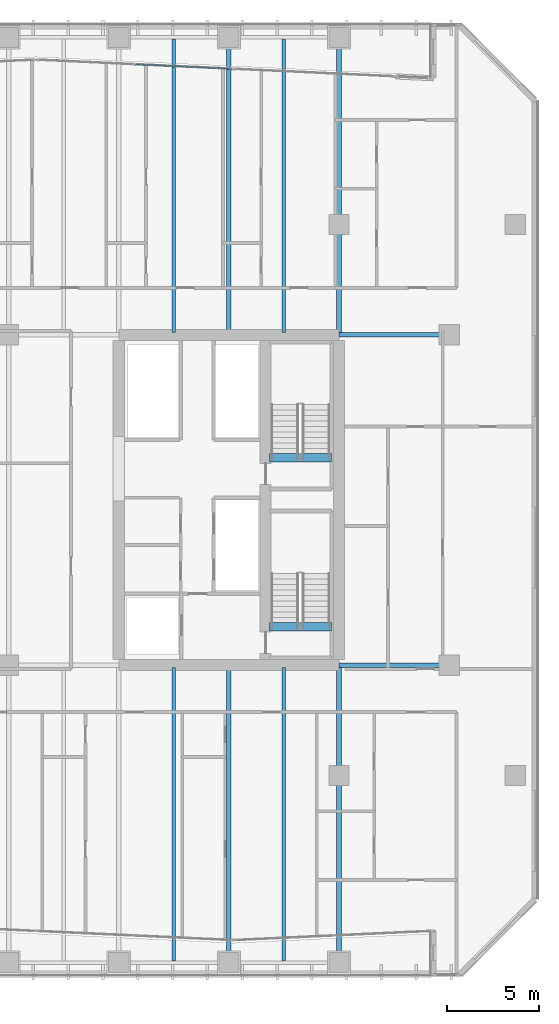
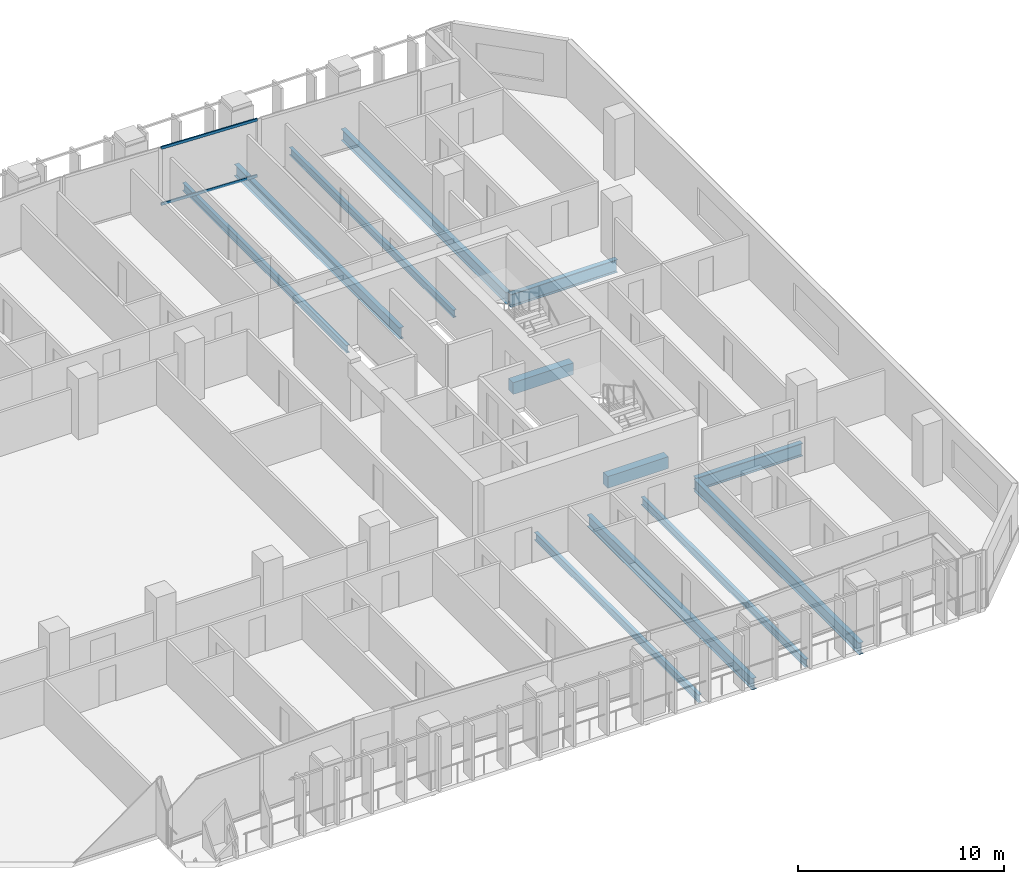
# One storey, part 15 of 31: 12 beams, 2 members, 1 element without a shape of its own.
"""IFC4 building model written with IfcOpenShell, lengths in metres."""

from ifc_helpers import new_model, si_unit, direction, frame, origin, origin_2d, place, context, subcontext, project, spatial, rectangle, hollow_rectangle, i_section, extrude, material, layer, layer_set, material_profile, profile_set, type_object, element, aggregate, save


model = new_model("IFC4")

# Units and contexts
model_context = context("Model", 3, precision=1e-05, world=origin(), true_north=direction((0.0, 1.0)))
body_context = subcontext(model_context, "Body", "Model", "MODEL_VIEW")
ifc_project = project(units=[si_unit("LENGTHUNIT", "METRE"), si_unit("AREAUNIT", "SQUARE_METRE"), si_unit("VOLUMEUNIT", "CUBIC_METRE"), si_unit("PLANEANGLEUNIT", "RADIAN"), si_unit("MASSUNIT", "GRAM", prefix="KILO")], contexts=[model_context])

# Site, building, storey
site_placement = place(None, origin())
site = spatial("IfcSite", under=ifc_project, at=site_placement, CompositionType="ELEMENT")
building_placement = place(site_placement, origin())
building = spatial("IfcBuilding", under=site, at=building_placement, Name="Tanjung Sevakor Pilgrim Tower", CompositionType="ELEMENT")
storey_placement = place(building_placement, frame((0.0, 0.0, 58.739990234375)))
storey = spatial("IfcBuildingStorey", under=building, at=storey_placement, Name="L16", CompositionType="ELEMENT", Elevation=58.739990234375)

# Beams
ifc_material_1 = material(Name="Steel S355J2", Category="steel")
ifc_material_profile_1 = material_profile(ifc_material_1, i_section(OverallWidth=0.26806640625, OverallDepth=0.769775390625, WebThickness=0.015625, FlangeThickness=0.025390625, FilletRadius=0.0166015625, at=origin_2d()))
ifc_profile_set_1 = profile_set([ifc_material_profile_1], Name="Steel S355J2")
beam_type_1 = type_object("IfcBeamType", Name="BM-B-G1-UB_762x267x197", PredefinedType="BEAM", material=ifc_profile_set_1)
for number, where, z_axis, x_axis, name in (
    (1, (90.0, 24.60009765625, -0.60498046875), (1.0, 0.0, 0.0), (0.0, 1.0, 0.0), "L16 Primary Floor Girder MAIN Y246-09"),
    (2, (90.0, 42.60009765625, -0.60498046875), (1.0, 0.0, 0.0), (0.0, 1.0, 0.0), "L16 Primary Floor Girder MAIN Y426-09"),
):
    element("IfcBeam", number, at=place(storey_placement, frame(where, z_axis=z_axis, x_axis=x_axis)), inside=storey, type_object=beam_type_1, Name=name, PredefinedType="BEAM", context=body_context, shape_type="SweptSolid", body=[
        extrude(i_section(OverallWidth=0.26806640625, OverallDepth=0.769775390625, WebThickness=0.015625, FlangeThickness=0.025390625, FilletRadius=0.0166015625, at=origin_2d()), origin(), (0.0, 0.0, 1.0), 6.0),
    ])
ifc_material_2 = material(Name="Steel S355J2", Category="steel")
ifc_material_profile_2 = material_profile(ifc_material_2, i_section(OverallWidth=0.25439453125, OverallDepth=0.6875, WebThickness=0.01318359375, FlangeThickness=0.02099609375, FilletRadius=0.01513671875, at=origin_2d()))
ifc_profile_set_2 = profile_set([ifc_material_profile_2], Name="Steel S355J2")
beam_type_2 = type_object("IfcBeamType", Name="BM-B-G2-UB_686x254x152", PredefinedType="BEAM", material=ifc_profile_set_2)
for number, where, z_axis, x_axis, name in (
    (3, (84.0, 8.39990234375, -0.563720703125), (0.0, 1.0, 0.0), (-1.0, 0.0, 0.0), "L16 MAIN Girder 041"),
    (4, (84.0, 42.73388671875, -0.563720703125), (0.0, 1.0, 0.0), (-1.0, 0.0, 0.0), "L16 MAIN Girder 042"),
    (5, (90.0, 8.39990234375, -0.563720703125), (0.0, 1.0, 0.0), (-1.0, 0.0, 0.0), "L16 MAIN Girder 045"),
    (6, (90.0, 42.73388671875, -0.563720703125), (0.0, 1.0, 0.0), (-1.0, 0.0, 0.0), "L16 MAIN Girder 046"),
):
    element("IfcBeam", number, at=place(storey_placement, frame(where, z_axis=z_axis, x_axis=x_axis)), inside=storey, type_object=beam_type_2, Name=name, PredefinedType="BEAM", context=body_context, shape_type="SweptSolid", body=[
        extrude(i_section(OverallWidth=0.25439453125, OverallDepth=0.6875, WebThickness=0.01318359375, FlangeThickness=0.02099609375, FilletRadius=0.01513671875, at=origin_2d()), origin(), (0.0, 0.0, 1.0), 16.066162109375),
    ])
ifc_material_3 = material(Name="Steel S355J2", Category="steel")
ifc_material_profile_3 = material_profile(ifc_material_3, i_section(OverallWidth=0.19140625, OverallDepth=0.4599609375, WebThickness=0.010009765625, FlangeThickness=0.01611328125, FilletRadius=0.01025390625, at=origin_2d()))
ifc_profile_set_3 = profile_set([ifc_material_profile_3], Name="Steel S355J2")
beam_type_3 = type_object("IfcBeamType", Name="BM-B-J2-UB_457x191x82", PredefinedType="JOIST", material=ifc_profile_set_3)
for number, where, z_axis, x_axis, name in (
    (7, (81.0, 8.5, -0.449951171875), (0.0, 1.0, 0.0), (-1.0, 0.0, 0.0), "L16 MAIN Joist 039"),
    (8, (81.0, 42.73388671875, -0.449951171875), (0.0, 1.0, 0.0), (-1.0, 0.0, 0.0), "L16 MAIN Joist 040"),
    (9, (87.0, 8.5, -0.449951171875), (0.0, 1.0, 0.0), (-1.0, 0.0, 0.0), "L16 MAIN Joist 043"),
    (10, (87.0, 42.73388671875, -0.449951171875), (0.0, 1.0, 0.0), (-1.0, 0.0, 0.0), "L16 MAIN Joist 044"),
):
    element("IfcBeam", number, at=place(storey_placement, frame(where, z_axis=z_axis, x_axis=x_axis)), inside=storey, type_object=beam_type_3, Name=name, PredefinedType="JOIST", context=body_context, shape_type="SweptSolid", body=[
        extrude(i_section(OverallWidth=0.19140625, OverallDepth=0.4599609375, WebThickness=0.010009765625, FlangeThickness=0.01611328125, FilletRadius=0.01025390625, at=origin_2d()), origin(), (0.0, 0.0, 1.0), 15.966064453125),
    ])
ifc_material_4 = material(Name="Concrete C60/75", Category="concrete")
ifc_material_profile_4 = material_profile(ifc_material_4, rectangle(XDim=0.449951171875, YDim=0.699951171875, at=origin_2d()))
ifc_profile_set_4 = profile_set([ifc_material_profile_4], Name="Concrete C60/75")
beam_type_4 = type_object("IfcBeamType", Name="BM-B-LN3-RC-BM_450x700", PredefinedType="LINTEL", material=ifc_profile_set_4)
for number, where, z_axis, x_axis, name in (
    (11, (86.199951171875, 26.699951171875, -0.35009765625), (1.0, 0.0, 0.0), (0.0, 1.0, 0.0), "L16 TS-E1 Stair Threshold Beam"),
    (12, (86.199951171875, 35.89990234375, -0.35009765625), (1.0, 0.0, 0.0), (0.0, 1.0, 0.0), "L16 TS-E2 Stair Threshold Beam"),
):
    element("IfcBeam", number, at=place(storey_placement, frame(where, z_axis=z_axis, x_axis=x_axis)), inside=storey, type_object=beam_type_4, Name=name, PredefinedType="LINTEL", context=body_context, shape_type="SweptSolid", body=[
        extrude(rectangle(XDim=0.449951171875, YDim=0.699951171875, at=origin_2d()), origin(), (0.0, 0.0, 1.0), 3.400146484375),
    ])

# Curtain wall, members
ifc_material_5 = material(Name="Aluminium 6063-T6 and Low-E Glass", Category="aluminium")
ifc_layer = layer(ifc_material_5, 0.199951171875)
ifc_layer_set = layer_set([ifc_layer], Name="CW-SYS-PRAY")
curtain_wall_type = type_object("IfcCurtainWallType", Name="CW-SYS-PRAY", PredefinedType="NOTDEFINED", material=ifc_layer_set)
curtain_wall_placement = place(storey_placement, origin())
curtain_wall = element("IfcCurtainWall", 13, at=curtain_wall_placement, inside=storey, type_object=curtain_wall_type, Name="L16 Curtain Wall CW-PRY-L16-21", PredefinedType="NOTDEFINED")
ifc_material_6 = material(Name="Aluminium 6063-T6", Category="aluminium")
ifc_material_profile_5 = material_profile(ifc_material_6, hollow_rectangle(XDim=0.074951171875, YDim=0.159912109375, WallThickness=0.00439453125, at=origin_2d()))
ifc_profile_set_5 = profile_set([ifc_material_profile_5], Name="Aluminium 6063-T6")
member_type = type_object("IfcMemberType", Name="TYPE-CWT-2", PredefinedType="USERDEFINED", material=ifc_profile_set_5)
member_1_placement = place(storey_placement, frame((84.168701171875, 57.083740234375, 0.03759765625), z_axis=(-0.998920086078, 0.046461399352, 0.0), x_axis=(-0.046461399352, -0.998920086078, 0.0)))
member_1 = element("IfcMember", 14, at=member_1_placement, type_object=member_type, Name="CW-PRY transom 1.1", ObjectType="TRANSOM", PredefinedType="USERDEFINED", context=body_context, shape_type="SweptSolid", body=[
    extrude(hollow_rectangle(XDim=0.074951171875, YDim=0.159912109375, WallThickness=0.00439453125, at=origin_2d()), origin(), (0.0, 0.0, 1.0), 5.26513671875),
])
member_2_placement = place(storey_placement, frame((84.168701171875, 57.083740234375, 3.37255859375), z_axis=(-0.998920086078, 0.046461399352, 0.0), x_axis=(-0.046461399352, -0.998920086078, 0.0)))
member_2 = element("IfcMember", 15, at=member_2_placement, type_object=member_type, Name="CW-PRY transom 1.2", ObjectType="TRANSOM", PredefinedType="USERDEFINED", context=body_context, shape_type="SweptSolid", body=[
    extrude(hollow_rectangle(XDim=0.074951171875, YDim=0.159912109375, WallThickness=0.00439453125, at=origin_2d()), origin(), (0.0, 0.0, 1.0), 5.26513671875),
])
aggregate(curtain_wall, [member_1, member_2])

save(model, "model.ifc")
